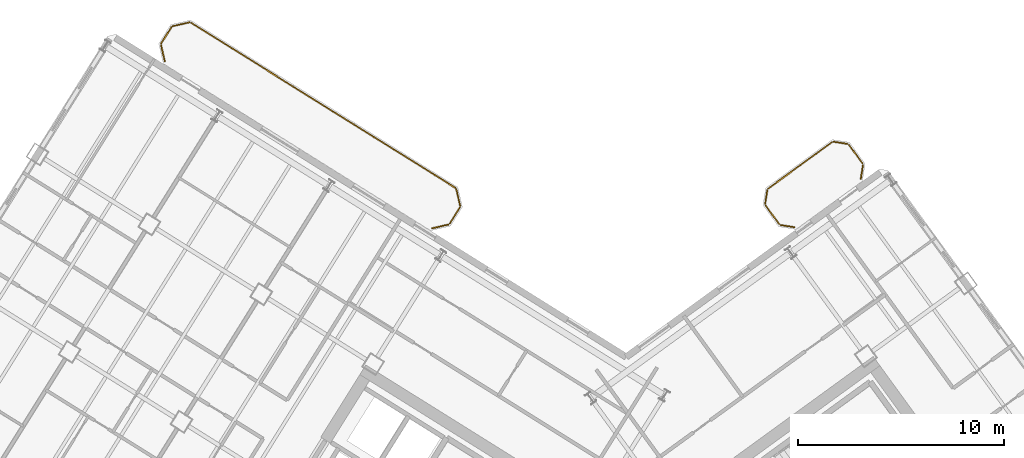
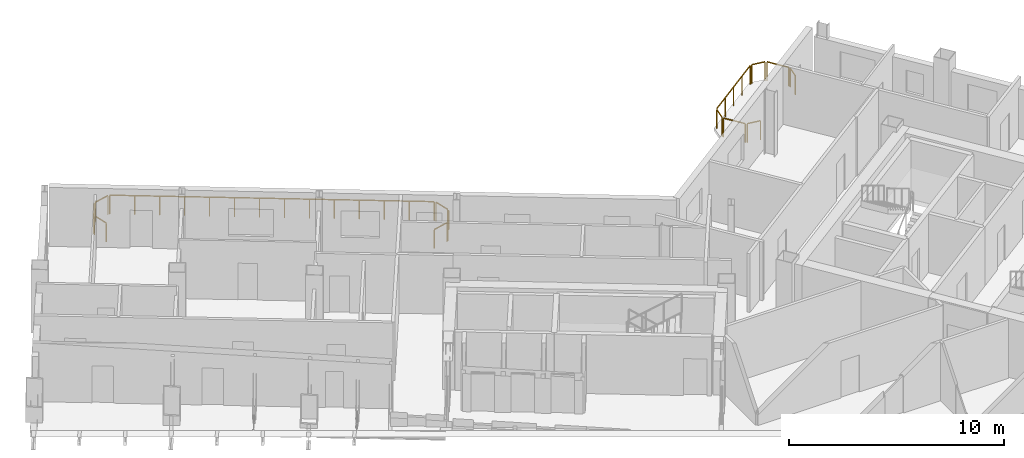
# One storey, part 20 of 20: 14 railings.
"""IFC4 building model written with IfcOpenShell, lengths in metres."""

from ifc_helpers import new_model, si_unit, direction, frame, origin, origin_2d, place, context, subcontext, project, spatial, rectangle, extrude, source, transform, mapped, material, type_object, element, save


model = new_model("IFC4")

# Units and contexts
model_context = context("Model", 3, precision=1e-05, world=origin(), true_north=direction((0.0, 1.0)))
body_context = subcontext(model_context, "Body", "Model", "MODEL_VIEW")
ifc_project = project(units=[si_unit("LENGTHUNIT", "METRE"), si_unit("AREAUNIT", "SQUARE_METRE"), si_unit("VOLUMEUNIT", "CUBIC_METRE"), si_unit("PLANEANGLEUNIT", "RADIAN"), si_unit("MASSUNIT", "GRAM", prefix="KILO")], contexts=[model_context])

# Site, building, storey
site_placement = place(None, origin())
site = spatial("IfcSite", under=ifc_project, at=site_placement, CompositionType="ELEMENT")
building_placement = place(site_placement, origin())
building = spatial("IfcBuilding", under=site, at=building_placement, Name="Tlacorven Tower", CompositionType="ELEMENT")
storey_placement = place(building_placement, frame((0.0, 0.0, 187.800048828125)))
storey = spatial("IfcBuildingStorey", under=building, at=storey_placement, Name="L47", CompositionType="ELEMENT", Elevation=187.800048828125)

# Railings
ifc_material = material(Name="Aluminium and painted steel balustrade", Category="steel")
railing_type = type_object("IfcRailingType", Name="RL-BAL-1100", PredefinedType="BALUSTRADE", material=ifc_material)
shared_shape_1 = source(origin(), body_context, "Body", "SweptSolid", [
    extrude(rectangle(XDim=0.048095703125, YDim=0.048095703125, at=origin_2d()), frame((0.0, 0.0, 1.076171875), z_axis=(0.974345290916, 0.225058334816, 0.0), x_axis=(-0.225058334816, 0.974345290916, 0.0)), (0.0, 0.0, 1.0), 0.80712890625),
    extrude(rectangle(XDim=0.0419921875, YDim=0.0419921875, at=origin_2d()), origin(), (0.0, 0.0, 1.0), 1.052001953125),
    extrude(rectangle(XDim=0.0419921875, YDim=0.0419921875, at=origin_2d()), frame((0.786376953125, 0.181640625, 0.0)), (0.0, 0.0, 1.0), 1.052001953125),
])
railing_1_placement = place(storey_placement, frame((20.2138671875, 47.643798828125, 0.0)))
element("IfcRailing", 1, at=railing_1_placement, inside=storey, type_object=railing_type, Name="BAL-L47-W-IN Guard Railing 6", PredefinedType="BALUSTRADE", context=body_context, shape_type="MappedRepresentation", body=[
    mapped(shared_shape_1, transform((0.0, 0.0, 0.0), scale=1.0)),
])
shared_shape_2 = source(origin(), body_context, "Body", "SweptSolid", [
    extrude(rectangle(XDim=0.048095703125, YDim=0.048095703125, at=origin_2d()), frame((0.0, 0.0, 1.076171875), z_axis=(-0.987661653326, 0.156602868908, 0.0), x_axis=(-0.156602868908, -0.987661653326, 0.0)), (0.0, 0.0, 1.0), 0.665771484375),
    extrude(rectangle(XDim=0.0419921875, YDim=0.0419921875, at=origin_2d()), origin(), (0.0, 0.0, 1.0), 1.052001953125),
    extrude(rectangle(XDim=0.0419921875, YDim=0.0419921875, at=origin_2d()), frame((-0.657470703125, 0.104248046875, 0.0)), (0.0, 0.0, 1.0), 1.052001953125),
])
railing_2_placement = place(storey_placement, frame((50.359130859375, 37.891845703125, 0.0)))
element("IfcRailing", 2, at=railing_2_placement, inside=storey, type_object=railing_type, Name="BAL-L47-E-IN Guard Railing 1", PredefinedType="BALUSTRADE", context=body_context, shape_type="MappedRepresentation", body=[
    mapped(shared_shape_2, transform((0.0, 0.0, 0.0), scale=1.0)),
])
shared_shape_3 = source(origin(), body_context, "Body", "SweptSolid", [
    extrude(rectangle(XDim=0.048095703125, YDim=0.048095703125, at=origin_2d()), frame((0.0, 0.0, 1.076171875), z_axis=(0.156602868908, 0.987661653326, 0.0), x_axis=(-0.987661653326, 0.156602868908, 0.0)), (0.0, 0.0, 1.0), 0.665771484375),
    extrude(rectangle(XDim=0.0419921875, YDim=0.0419921875, at=origin_2d()), origin(), (0.0, 0.0, 1.0), 1.052001953125),
    extrude(rectangle(XDim=0.0419921875, YDim=0.0419921875, at=origin_2d()), frame((0.104248046875, 0.657470703125, 0.0)), (0.0, 0.0, 1.0), 1.052001953125),
])
railing_3_placement = place(storey_placement, frame((48.947509765625, 39.033935546875, 0.0)))
element("IfcRailing", 3, at=railing_3_placement, inside=storey, type_object=railing_type, Name="BAL-L47-E-IN Guard Railing 3", PredefinedType="BALUSTRADE", context=body_context, shape_type="MappedRepresentation", body=[
    mapped(shared_shape_3, transform((0.0, 0.0, 0.0), scale=1.0)),
])
shared_shape_4 = source(origin(), body_context, "Body", "SweptSolid", [
    extrude(rectangle(XDim=0.048095703125, YDim=0.048095703125, at=origin_2d()), frame((0.0, 0.0, 1.076171875), z_axis=(-0.156245081039, -0.987718317463, 0.0), x_axis=(0.987718317463, -0.156245081039, 0.0)), (0.0, 0.0, 1.0), 0.66552734375),
    extrude(rectangle(XDim=0.0419921875, YDim=0.0419921875, at=origin_2d()), origin(), (0.0, 0.0, 1.0), 1.052001953125),
    extrude(rectangle(XDim=0.0419921875, YDim=0.0419921875, at=origin_2d()), frame((-0.10400390625, -0.657470703125, 0.0)), (0.0, 0.0, 1.0), 1.052001953125),
])
railing_4_placement = place(storey_placement, frame((53.689453125, 40.893310546875, 0.0)))
element("IfcRailing", 4, at=railing_4_placement, inside=storey, type_object=railing_type, Name="BAL-L47-E-IN Guard Railing 7", PredefinedType="BALUSTRADE", context=body_context, shape_type="MappedRepresentation", body=[
    mapped(shared_shape_4, transform((0.0, 0.0, 0.0), scale=1.0)),
])
shared_shape_5 = source(origin(), body_context, "Body", "SweptSolid", [
    extrude(rectangle(XDim=0.048095703125, YDim=0.048095703125, at=origin_2d()), frame((0.0, 0.0, 1.076171875), z_axis=(0.529998940003, 0.847998304005, 0.0), x_axis=(-0.847998304005, 0.529998940003, 0.0)), (0.0, 0.0, 1.0), 0.912109375),
    extrude(rectangle(XDim=0.0419921875, YDim=0.0419921875, at=origin_2d()), origin(), (0.0, 0.0, 1.0), 1.052001953125),
    extrude(rectangle(XDim=0.0419921875, YDim=0.0419921875, at=origin_2d()), frame((0.4833984375, 0.7734375, 0.0)), (0.0, 0.0, 1.0), 1.052001953125),
])
railing_5_placement = place(storey_placement, frame((19.6552734375, 46.816650390625, 0.0)))
element("IfcRailing", 5, at=railing_5_placement, inside=storey, type_object=railing_type, Name="BAL-L47-W-IN Guard Railing 5", PredefinedType="BALUSTRADE", context=body_context, shape_type="MappedRepresentation", body=[
    mapped(shared_shape_5, transform((0.0, 0.0, 0.0), scale=1.0)),
])
shared_shape_6 = source(origin(), body_context, "Body", "SweptSolid", [
    extrude(rectangle(XDim=0.048095703125, YDim=0.048095703125, at=origin_2d()), frame((0.0, 0.0, 1.076171875), z_axis=(0.224992020761, -0.974360606036, 0.0), x_axis=(0.974360606036, 0.224992020761, 0.0)), (0.0, 0.0, 1.0), 0.807373046875),
    extrude(rectangle(XDim=0.0419921875, YDim=0.0419921875, at=origin_2d()), origin(), (0.0, 0.0, 1.0), 1.052001953125),
    extrude(rectangle(XDim=0.0419921875, YDim=0.0419921875, at=origin_2d()), frame((0.181640625, -0.78662109375, 0.0)), (0.0, 0.0, 1.0), 1.052001953125),
])
railing_6_placement = place(storey_placement, frame((33.965087890625, 39.72412109375, 0.0)))
element("IfcRailing", 6, at=railing_6_placement, inside=storey, type_object=railing_type, Name="BAL-L47-W-IN Guard Railing 1", PredefinedType="BALUSTRADE", context=body_context, shape_type="MappedRepresentation", body=[
    mapped(shared_shape_6, transform((0.0, 0.0, 0.0), scale=1.0)),
])
shared_shape_7 = source(origin(), body_context, "Body", "SweptSolid", [
    extrude(rectangle(XDim=0.048095703125, YDim=0.048095703125, at=origin_2d()), frame((0.0, 0.0, 1.076171875), z_axis=(-0.529998940003, -0.847998304005, 0.0), x_axis=(0.847998304005, -0.529998940003, 0.0)), (0.0, 0.0, 1.0), 0.912109375),
    extrude(rectangle(XDim=0.0419921875, YDim=0.0419921875, at=origin_2d()), origin(), (0.0, 0.0, 1.0), 1.052001953125),
    extrude(rectangle(XDim=0.0419921875, YDim=0.0419921875, at=origin_2d()), frame((-0.4833984375, -0.7734375, 0.0)), (0.0, 0.0, 1.0), 1.052001953125),
])
railing_7_placement = place(storey_placement, frame((34.131591796875, 38.846435546875, 0.0)))
element("IfcRailing", 7, at=railing_7_placement, inside=storey, type_object=railing_type, Name="BAL-L47-W-IN Guard Railing 2", PredefinedType="BALUSTRADE", context=body_context, shape_type="MappedRepresentation", body=[
    mapped(shared_shape_7, transform((0.0, 0.0, 0.0), scale=1.0)),
])
shared_shape_8 = source(origin(), body_context, "Body", "SweptSolid", [
    extrude(rectangle(XDim=0.048095703125, YDim=0.048095703125, at=origin_2d()), frame((0.0, 0.0, 1.076171875), z_axis=(-0.974360606036, -0.224992020761, 0.0), x_axis=(0.224992020761, -0.974360606036, 0.0)), (0.0, 0.0, 1.0), 0.807373046875),
    extrude(rectangle(XDim=0.0419921875, YDim=0.0419921875, at=origin_2d()), origin(), (0.0, 0.0, 1.0), 1.052001953125),
    extrude(rectangle(XDim=0.0419921875, YDim=0.0419921875, at=origin_2d()), frame((-0.78662109375, -0.181640625, 0.0)), (0.0, 0.0, 1.0), 1.052001953125),
])
railing_8_placement = place(storey_placement, frame((33.572998046875, 38.019287109375, 0.0)))
element("IfcRailing", 8, at=railing_8_placement, inside=storey, type_object=railing_type, Name="BAL-L47-W-IN Guard Railing 3", PredefinedType="BALUSTRADE", context=body_context, shape_type="MappedRepresentation", body=[
    mapped(shared_shape_8, transform((0.0, 0.0, 0.0), scale=1.0)),
])
shared_shape_9 = source(origin(), body_context, "Body", "SweptSolid", [
    extrude(rectangle(XDim=0.048095703125, YDim=0.048095703125, at=origin_2d()), frame((0.0, 0.0, 1.076171875), z_axis=(-0.22470489119, 0.974426863277, 0.0), x_axis=(-0.974426863277, -0.22470489119, 0.0)), (0.0, 0.0, 1.0), 0.807373046875),
    extrude(rectangle(XDim=0.0419921875, YDim=0.0419921875, at=origin_2d()), origin(), (0.0, 0.0, 1.0), 1.052001953125),
    extrude(rectangle(XDim=0.0419921875, YDim=0.0419921875, at=origin_2d()), frame((-0.181396484375, 0.78662109375, 0.0)), (0.0, 0.0, 1.0), 1.052001953125),
])
railing_9_placement = place(storey_placement, frame((19.821533203125, 45.93896484375, 0.0)))
element("IfcRailing", 9, at=railing_9_placement, inside=storey, type_object=railing_type, Name="BAL-L47-W-IN Guard Railing 4", PredefinedType="BALUSTRADE", context=body_context, shape_type="MappedRepresentation", body=[
    mapped(shared_shape_9, transform((0.0, 0.0, 0.0), scale=1.0)),
])
shared_shape_10 = source(origin(), body_context, "Body", "SweptSolid", [
    extrude(rectangle(XDim=0.048095703125, YDim=0.048095703125, at=origin_2d()), frame((0.0, 0.0, 1.076171875), z_axis=(0.848051830527, -0.529913287944, 0.0), x_axis=(0.529913287944, 0.848051830527, 0.0)), (0.0, 0.0, 1.0), 15.1171875),
    extrude(rectangle(XDim=0.0419921875, YDim=0.0419921875, at=origin_2d()), origin(), (0.0, 0.0, 1.0), 1.052001953125),
    extrude(rectangle(XDim=0.0419921875, YDim=0.0419921875, at=origin_2d()), frame((0.986083984375, -0.6162109375, 0.0)), (0.0, 0.0, 1.0), 1.052001953125),
    extrude(rectangle(XDim=0.0419921875, YDim=0.0419921875, at=origin_2d()), frame((1.972412109375, -1.232421875, 0.0)), (0.0, 0.0, 1.0), 1.052001953125),
    extrude(rectangle(XDim=0.0419921875, YDim=0.0419921875, at=origin_2d()), frame((2.95849609375, -1.8486328125, 0.0)), (0.0, 0.0, 1.0), 1.052001953125),
    extrude(rectangle(XDim=0.0419921875, YDim=0.0419921875, at=origin_2d()), frame((3.944580078125, -2.46484375, 0.0)), (0.0, 0.0, 1.0), 1.052001953125),
    extrude(rectangle(XDim=0.0419921875, YDim=0.0419921875, at=origin_2d()), frame((4.930908203125, -3.0810546875, 0.0)), (0.0, 0.0, 1.0), 1.052001953125),
    extrude(rectangle(XDim=0.0419921875, YDim=0.0419921875, at=origin_2d()), frame((5.9169921875, -3.697265625, 0.0)), (0.0, 0.0, 1.0), 1.052001953125),
    extrude(rectangle(XDim=0.0419921875, YDim=0.0419921875, at=origin_2d()), frame((6.903076171875, -4.3134765625, 0.0)), (0.0, 0.0, 1.0), 1.052001953125),
    extrude(rectangle(XDim=0.0419921875, YDim=0.0419921875, at=origin_2d()), frame((7.88916015625, -4.9296875, 0.0)), (0.0, 0.0, 1.0), 1.052001953125),
    extrude(rectangle(XDim=0.0419921875, YDim=0.0419921875, at=origin_2d()), frame((8.87548828125, -5.5458984375, 0.0)), (0.0, 0.0, 1.0), 1.052001953125),
    extrude(rectangle(XDim=0.0419921875, YDim=0.0419921875, at=origin_2d()), frame((9.861572265625, -6.162109375, 0.0)), (0.0, 0.0, 1.0), 1.052001953125),
    extrude(rectangle(XDim=0.0419921875, YDim=0.0419921875, at=origin_2d()), frame((10.84765625, -6.7783203125, 0.0)), (0.0, 0.0, 1.0), 1.052001953125),
    extrude(rectangle(XDim=0.0419921875, YDim=0.0419921875, at=origin_2d()), frame((11.833984375, -7.39453125, 0.0)), (0.0, 0.0, 1.0), 1.052001953125),
    extrude(rectangle(XDim=0.0419921875, YDim=0.0419921875, at=origin_2d()), frame((12.820068359375, -8.0107421875, 0.0)), (0.0, 0.0, 1.0), 1.052001953125),
])
railing_10_placement = place(storey_placement, frame((21.091552734375, 47.81005859375, 0.0)))
element("IfcRailing", 10, at=railing_10_placement, inside=storey, type_object=railing_type, Name="BAL-L47-W-IN Guard Railing 7", PredefinedType="BALUSTRADE", context=body_context, shape_type="MappedRepresentation", body=[
    mapped(shared_shape_10, transform((0.0, 0.0, 0.0), scale=1.0)),
])
shared_shape_11 = source(origin(), body_context, "Body", "SweptSolid", [
    extrude(rectangle(XDim=0.048095703125, YDim=0.048095703125, at=origin_2d()), frame((0.0, 0.0, 1.076171875), z_axis=(-0.587636431696, 0.809125097957, 0.0), x_axis=(-0.809125097957, -0.587636431696, 0.0)), (0.0, 0.0, 1.0), 1.1123046875),
    extrude(rectangle(XDim=0.0419921875, YDim=0.0419921875, at=origin_2d()), origin(), (0.0, 0.0, 1.0), 1.052001953125),
    extrude(rectangle(XDim=0.0419921875, YDim=0.0419921875, at=origin_2d()), frame((-0.653564453125, 0.89990234375, 0.0)), (0.0, 0.0, 1.0), 1.052001953125),
])
railing_11_placement = place(storey_placement, frame((49.622802734375, 38.044189453125, 0.0)))
element("IfcRailing", 11, at=railing_11_placement, inside=storey, type_object=railing_type, Name="BAL-L47-E-IN Guard Railing 2", PredefinedType="BALUSTRADE", context=body_context, shape_type="MappedRepresentation", body=[
    mapped(shared_shape_11, transform((0.0, 0.0, 0.0), scale=1.0)),
])
shared_shape_12 = source(origin(), body_context, "Body", "SweptSolid", [
    extrude(rectangle(XDim=0.048095703125, YDim=0.048095703125, at=origin_2d()), frame((0.0, 0.0, 1.076171875), z_axis=(0.809018102573, 0.587783726986, 0.0), x_axis=(-0.587783726986, 0.809018102573, 0.0)), (0.0, 0.0, 1.0), 3.817138671875),
    extrude(rectangle(XDim=0.0419921875, YDim=0.0419921875, at=origin_2d()), origin(), (0.0, 0.0, 1.0), 1.052001953125),
    extrude(rectangle(XDim=0.0419921875, YDim=0.0419921875, at=origin_2d()), frame((0.77197265625, 0.56103515625, 0.0)), (0.0, 0.0, 1.0), 1.052001953125),
    extrude(rectangle(XDim=0.0419921875, YDim=0.0419921875, at=origin_2d()), frame((1.5439453125, 1.121826171875, 0.0)), (0.0, 0.0, 1.0), 1.052001953125),
    extrude(rectangle(XDim=0.0419921875, YDim=0.0419921875, at=origin_2d()), frame((2.316162109375, 1.6826171875, 0.0)), (0.0, 0.0, 1.0), 1.052001953125),
    extrude(rectangle(XDim=0.0419921875, YDim=0.0419921875, at=origin_2d()), frame((3.088134765625, 2.24365234375, 0.0)), (0.0, 0.0, 1.0), 1.052001953125),
])
railing_12_placement = place(storey_placement, frame((49.10009765625, 39.77001953125, 0.0)))
element("IfcRailing", 12, at=railing_12_placement, inside=storey, type_object=railing_type, Name="BAL-L47-E-IN Guard Railing 4", PredefinedType="BALUSTRADE", context=body_context, shape_type="MappedRepresentation", body=[
    mapped(shared_shape_12, transform((0.0, 0.0, 0.0), scale=1.0)),
])
shared_shape_13 = source(origin(), body_context, "Body", "SweptSolid", [
    extrude(rectangle(XDim=0.048095703125, YDim=0.048095703125, at=origin_2d()), frame((0.0, 0.0, 1.076171875), z_axis=(0.987661653326, -0.156602868908, 0.0), x_axis=(0.156602868908, 0.987661653326, 0.0)), (0.0, 0.0, 1.0), 0.665771484375),
    extrude(rectangle(XDim=0.0419921875, YDim=0.0419921875, at=origin_2d()), origin(), (0.0, 0.0, 1.0), 1.052001953125),
    extrude(rectangle(XDim=0.0419921875, YDim=0.0419921875, at=origin_2d()), frame((0.657470703125, -0.104248046875, 0.0)), (0.0, 0.0, 1.0), 1.052001953125),
])
railing_13_placement = place(storey_placement, frame((52.278076171875, 42.035400390625, 0.0)))
element("IfcRailing", 13, at=railing_13_placement, inside=storey, type_object=railing_type, Name="BAL-L47-E-IN Guard Railing 5", PredefinedType="BALUSTRADE", context=body_context, shape_type="MappedRepresentation", body=[
    mapped(shared_shape_13, transform((0.0, 0.0, 0.0), scale=1.0)),
])
shared_shape_14 = source(origin(), body_context, "Body", "SweptSolid", [
    extrude(rectangle(XDim=0.048095703125, YDim=0.048095703125, at=origin_2d()), frame((0.0, 0.0, 1.076171875), z_axis=(0.587780115446, -0.809020726488, 0.0), x_axis=(0.809020726488, 0.587780115446, 0.0)), (0.0, 0.0, 1.0), 1.1123046875),
    extrude(rectangle(XDim=0.0419921875, YDim=0.0419921875, at=origin_2d()), origin(), (0.0, 0.0, 1.0), 1.052001953125),
    extrude(rectangle(XDim=0.0419921875, YDim=0.0419921875, at=origin_2d()), frame((0.65380859375, -0.89990234375, 0.0)), (0.0, 0.0, 1.0), 1.052001953125),
])
railing_14_placement = place(storey_placement, frame((53.01416015625, 41.883056640625, 0.0)))
element("IfcRailing", 14, at=railing_14_placement, inside=storey, type_object=railing_type, Name="BAL-L47-E-IN Guard Railing 6", PredefinedType="BALUSTRADE", context=body_context, shape_type="MappedRepresentation", body=[
    mapped(shared_shape_14, transform((0.0, 0.0, 0.0), scale=1.0)),
])

save(model, "model.ifc")
